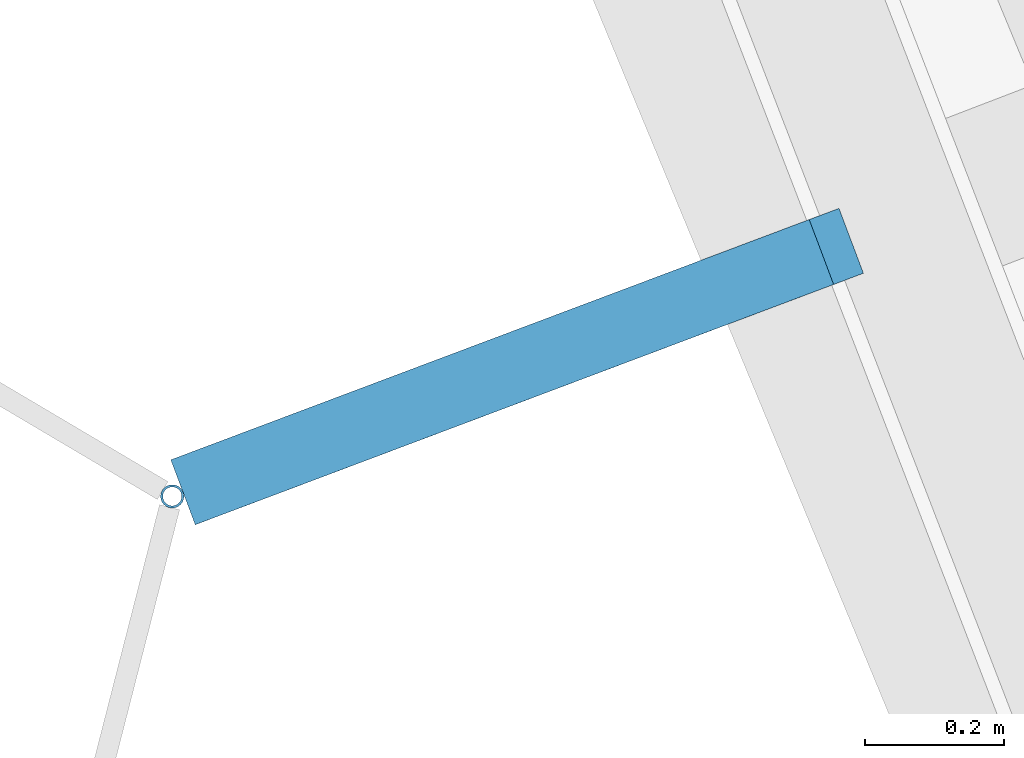
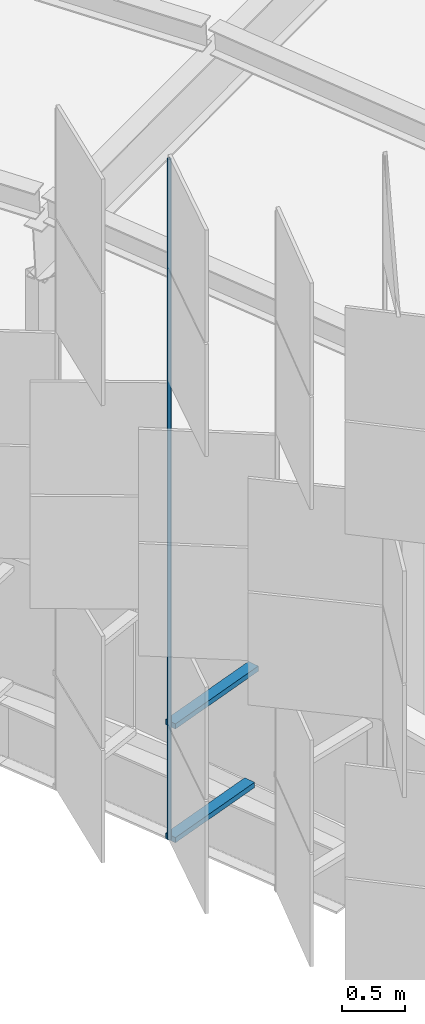
# One storey, part 211 of 483: 3 discrete accessories.
"""IFC4 building model written with IfcOpenShell, lengths in metres."""

from ifc_helpers import new_model, si_unit, direction, frame, origin, origin_2d, place, context, subcontext, project, spatial, rectangle, hollow_circle, extrude, material, material_profile, profile_set, type_object, element, save


model = new_model("IFC4")

# Units and contexts
model_context = context("Model", 3, precision=1e-05, world=origin(), true_north=direction((0.0, 1.0)))
body_context = subcontext(model_context, "Body", "Model", "MODEL_VIEW")
ifc_project = project(units=[si_unit("LENGTHUNIT", "METRE"), si_unit("AREAUNIT", "SQUARE_METRE"), si_unit("VOLUMEUNIT", "CUBIC_METRE"), si_unit("PLANEANGLEUNIT", "RADIAN"), si_unit("MASSUNIT", "GRAM", prefix="KILO")], contexts=[model_context])

# Site, building, storey
site_placement = place(None, origin())
site = spatial("IfcSite", under=ifc_project, at=site_placement, CompositionType="ELEMENT")
building_placement = place(site_placement, origin())
building = spatial("IfcBuilding", under=site, at=building_placement, Name="Parallax Yard Mobility Hub", CompositionType="ELEMENT")
storey_placement = place(building_placement, frame((0.0, 0.0, 13.199951171875)))
storey = spatial("IfcBuildingStorey", under=building, at=storey_placement, Name="L04", CompositionType="ELEMENT", Elevation=13.199951171875)

# Discrete accessories
ifc_material_1 = material(Name="Steel ASTM A36, hot-dip galvanised", Category="steel")
discrete_accessory_type_1 = type_object("IfcDiscreteAccessoryType", Name="Hinge bracket plate 100x50", PredefinedType="BRACKET", material=ifc_material_1)
discrete_accessory_1_placement = place(storey_placement, frame((193.035400390625, 97.884521484375, -0.02490234375), z_axis=(0.0, 0.0, 1.0), x_axis=(-0.935905926757, -0.352250047921, 0.0)))
element("IfcDiscreteAccessory", 1, at=discrete_accessory_1_placement, inside=storey, type_object=discrete_accessory_type_1, Name="Hinge bracket plate bay 21.6 level L04", PredefinedType="BRACKET", context=body_context, shape_type="SweptSolid", body=[
    extrude(rectangle(XDim=0.984130859375, YDim=0.10009765625, at=origin_2d()), origin(), (0.0, 0.0, 1.0), 0.050048828125),
])
discrete_accessory_2_placement = place(storey_placement, frame((193.056884765625, 97.892578125, 1.06982421875), z_axis=(0.0, 0.0, 1.0), x_axis=(-0.935905926757, -0.352250047921, 0.0)))
element("IfcDiscreteAccessory", 2, at=discrete_accessory_2_placement, inside=storey, type_object=discrete_accessory_type_1, Name="Hinge bracket plate bay 21.6 level L04", PredefinedType="BRACKET", context=body_context, shape_type="SweptSolid", body=[
    extrude(rectangle(XDim=1.030029296875, YDim=0.10009765625, at=origin_2d()), origin(), (0.0, 0.0, 1.0), 0.050048828125),
])
ifc_material_2 = material(Name="Steel ASTM A500 Gr C, hot-dip galvanised", Category="steel")
ifc_material_profile = material_profile(ifc_material_2, hollow_circle(Radius=0.016845703125, WallThickness=0.003173828125, at=origin_2d()), Name="CHS 33.7x3.2")
ifc_profile_set = profile_set([ifc_material_profile], Name="Steel ASTM A500 Gr C, hot-dip galvanised")
discrete_accessory_type_2 = type_object("IfcDiscreteAccessoryType", Name="Hinge post CHS 33.7x3.2", PredefinedType="BRACKET", material=ifc_profile_set)
discrete_accessory_3_placement = place(storey_placement, frame((192.559326171875, 97.705322265625, 0.0), z_axis=(0.0, 0.0, 1.0), x_axis=(1.0, 0.0, 0.0)))
element("IfcDiscreteAccessory", 3, at=discrete_accessory_3_placement, inside=storey, type_object=discrete_accessory_type_2, Name="Hinge post bay 21.6 level L04", PredefinedType="BRACKET", context=body_context, shape_type="SweptSolid", body=[
    extrude(hollow_circle(Radius=0.016845703125, WallThickness=0.003173828125, at=origin_2d()), origin(), (0.0, 0.0, 1.0), 6.550048828125),
])

save(model, "model.ifc")
